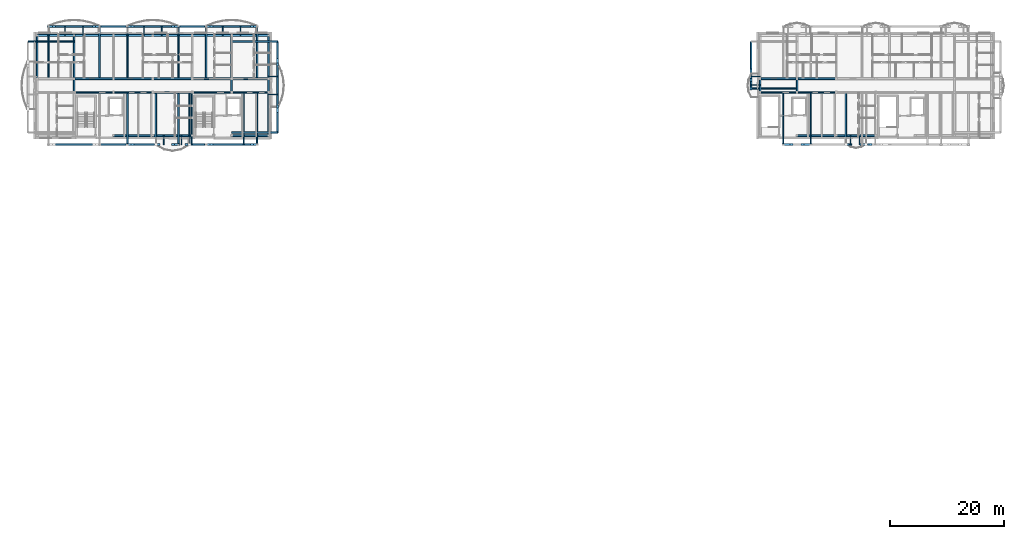
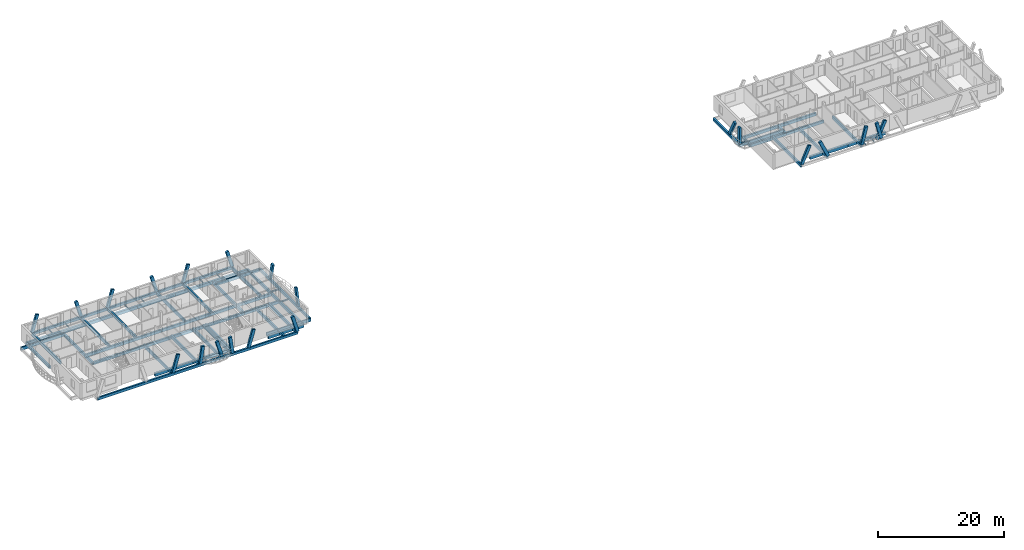
# One storey, part 4 of 29: 73 beams, 21 members.
"""IFC4 building model written with IfcOpenShell, lengths in metres."""

from ifc_helpers import new_model, si_unit, direction, frame, origin, origin_2d, place, context, subcontext, project, spatial, rectangle, i_section, extrude, material, material_profile, profile_set, type_object, element, save


model = new_model("IFC4")

# Units and contexts
model_context = context("Model", 3, precision=1e-05, world=origin(), true_north=direction((0.0, 1.0)))
body_context = subcontext(model_context, "Body", "Model", "MODEL_VIEW")
ifc_project = project(units=[si_unit("LENGTHUNIT", "METRE"), si_unit("AREAUNIT", "SQUARE_METRE"), si_unit("VOLUMEUNIT", "CUBIC_METRE"), si_unit("PLANEANGLEUNIT", "RADIAN"), si_unit("MASSUNIT", "GRAM", prefix="KILO")], contexts=[model_context])

# Site, building, storey
site_placement = place(None, origin())
site = spatial("IfcSite", under=ifc_project, at=site_placement, CompositionType="ELEMENT")
building_placement = place(site_placement, origin())
building = spatial("IfcBuilding", under=site, at=building_placement, Name="Zavelmont Quarter", CompositionType="ELEMENT")
storey_placement = place(building_placement, frame((0.0, 0.0, 33.60009765625)))
storey = spatial("IfcBuildingStorey", under=building, at=storey_placement, Name="L10", CompositionType="ELEMENT", Elevation=33.60009765625)

# Beams
ifc_material_1 = material(Name="Concrete C35/45", Category="concrete")
ifc_material_profile_1 = material_profile(ifc_material_1, rectangle(XDim=0.35009765625, YDim=0.60009765625, at=origin_2d()), Name="RC350X600")
ifc_profile_set_1 = profile_set([ifc_material_profile_1], Name="Concrete C35/45")
beam_type_1 = type_object("IfcBeamType", Name="BM01", PredefinedType="SPANDREL", material=ifc_profile_set_1)
beam_1_placement = place(storey_placement, frame((13.800048828125, 98.0400390625, -0.5400390625), z_axis=(1.0, 0.0, 0.0), x_axis=(0.0, 1.0, 0.0)))
element("IfcBeam", 1, at=beam_1_placement, inside=storey, type_object=beam_type_1, Name="L10 beam BM01 3/P to 4/P", PredefinedType="SPANDREL", context=body_context, shape_type="SweptSolid", body=[
    extrude(rectangle(XDim=0.35009765625, YDim=0.60009765625, at=origin_2d()), origin(), (0.0, 0.0, 1.0), 6.89990234375),
])
beam_2_placement = place(storey_placement, frame((20.699951171875, 98.0400390625, -0.5400390625), z_axis=(1.0, 0.0, 0.0), x_axis=(0.0, 1.0, 0.0)))
element("IfcBeam", 2, at=beam_2_placement, inside=storey, type_object=beam_type_1, Name="L10 beam BM01 4/P to 5/P", PredefinedType="SPANDREL", context=body_context, shape_type="SweptSolid", body=[
    extrude(rectangle(XDim=0.35009765625, YDim=0.60009765625, at=origin_2d()), origin(), (0.0, 0.0, 1.0), 6.900146484375),
])
for number, where, z_axis, x_axis, name in (
    (3, (34.5, 98.0400390625, -0.5400390625), (1.0, 0.0, 0.0), (0.0, 1.0, 0.0), "L10 beam BM01 6/P to 7/P"),
    (4, (0.43994140625, 115.56005859375, -0.5400390625), (1.0, 0.0, 0.0), (0.0, 1.0, 0.0), "L10 beam BM01 1/S to 2/S"),
):
    element("IfcBeam", number, at=place(storey_placement, frame(where, z_axis=z_axis, x_axis=x_axis)), inside=storey, type_object=beam_type_1, Name=name, PredefinedType="SPANDREL", context=body_context, shape_type="SweptSolid", body=[
        extrude(rectangle(XDim=0.35009765625, YDim=0.60009765625, at=origin_2d()), origin(), (0.0, 0.0, 1.0), 6.4599609375),
    ])
beam_3_placement = place(storey_placement, frame((6.89990234375, 115.56005859375, -0.5400390625), z_axis=(1.0, 0.0, 0.0), x_axis=(0.0, 1.0, 0.0)))
element("IfcBeam", 5, at=beam_3_placement, inside=storey, type_object=beam_type_1, Name="L10 beam BM01 2/S to 3/S", PredefinedType="SPANDREL", context=body_context, shape_type="SweptSolid", body=[
    extrude(rectangle(XDim=0.35009765625, YDim=0.60009765625, at=origin_2d()), origin(), (0.0, 0.0, 1.0), 6.900146484375),
])
beam_4_placement = place(storey_placement, frame((13.800048828125, 115.56005859375, -0.5400390625), z_axis=(1.0, 0.0, 0.0), x_axis=(0.0, 1.0, 0.0)))
element("IfcBeam", 6, at=beam_4_placement, inside=storey, type_object=beam_type_1, Name="L10 beam BM01 3/S to 4/S", PredefinedType="SPANDREL", context=body_context, shape_type="SweptSolid", body=[
    extrude(rectangle(XDim=0.35009765625, YDim=0.60009765625, at=origin_2d()), origin(), (0.0, 0.0, 1.0), 6.89990234375),
])
beam_5_placement = place(storey_placement, frame((20.699951171875, 115.56005859375, -0.5400390625), z_axis=(1.0, 0.0, 0.0), x_axis=(0.0, 1.0, 0.0)))
element("IfcBeam", 7, at=beam_5_placement, inside=storey, type_object=beam_type_1, Name="L10 beam BM01 4/S to 5/S", PredefinedType="SPANDREL", context=body_context, shape_type="SweptSolid", body=[
    extrude(rectangle(XDim=0.35009765625, YDim=0.60009765625, at=origin_2d()), origin(), (0.0, 0.0, 1.0), 6.900146484375),
])
beam_6_placement = place(storey_placement, frame((27.60009765625, 115.56005859375, -0.5400390625), z_axis=(1.0, 0.0, 0.0), x_axis=(0.0, 1.0, 0.0)))
element("IfcBeam", 8, at=beam_6_placement, inside=storey, type_object=beam_type_1, Name="L10 beam BM01 5/S to 6/S", PredefinedType="SPANDREL", context=body_context, shape_type="SweptSolid", body=[
    extrude(rectangle(XDim=0.35009765625, YDim=0.60009765625, at=origin_2d()), origin(), (0.0, 0.0, 1.0), 6.89990234375),
])
beam_7_placement = place(storey_placement, frame((34.5, 115.56005859375, -0.5400390625), z_axis=(1.0, 0.0, 0.0), x_axis=(0.0, 1.0, 0.0)))
element("IfcBeam", 9, at=beam_7_placement, inside=storey, type_object=beam_type_1, Name="L10 beam BM01 6/S to 7/S", PredefinedType="SPANDREL", context=body_context, shape_type="SweptSolid", body=[
    extrude(rectangle(XDim=0.35009765625, YDim=0.60009765625, at=origin_2d()), origin(), (0.0, 0.0, 1.0), 6.4599609375),
])
beam_8_placement = place(storey_placement, frame((133.5, 98.0400390625, -0.5400390625), z_axis=(1.0, 0.0, 0.0), x_axis=(0.0, 1.0, 0.0)))
element("IfcBeam", 10, at=beam_8_placement, inside=storey, type_object=beam_type_1, Name="L10 beam BM01 20/P to 21/P", PredefinedType="SPANDREL", context=body_context, shape_type="SweptSolid", body=[
    extrude(rectangle(XDim=0.35009765625, YDim=0.60009765625, at=origin_2d()), origin(), (0.0, 0.0, 1.0), 6.89990234375),
])
beam_9_placement = place(storey_placement, frame((140.39990234375, 98.0400390625, -0.5400390625), z_axis=(1.0, 0.0, 0.0), x_axis=(0.0, 1.0, 0.0)))
element("IfcBeam", 11, at=beam_9_placement, inside=storey, type_object=beam_type_1, Name="L10 beam BM01 21/P to 22/P", PredefinedType="SPANDREL", context=body_context, shape_type="SweptSolid", body=[
    extrude(rectangle(XDim=0.35009765625, YDim=0.60009765625, at=origin_2d()), origin(), (0.0, 0.0, 1.0), 6.900146484375),
])
ifc_material_profile_2 = material_profile(ifc_material_1, rectangle(XDim=0.300048828125, YDim=0.550048828125, at=origin_2d()), Name="RC300X550")
ifc_profile_set_2 = profile_set([ifc_material_profile_2], Name="Concrete C35/45")
beam_type_2 = type_object("IfcBeamType", Name="BM02", PredefinedType="SPANDREL", material=ifc_profile_set_2)
beam_10_placement = place(storey_placement, frame((6.89990234375, 105.60009765625, -0.51513671875), z_axis=(1.0, 0.0, 0.0), x_axis=(0.0, 1.0, 0.0)))
element("IfcBeam", 12, at=beam_10_placement, inside=storey, type_object=beam_type_2, Name="L10 beam BM02 2/Q to 3/Q", PredefinedType="SPANDREL", context=body_context, shape_type="SweptSolid", body=[
    extrude(rectangle(XDim=0.300048828125, YDim=0.550048828125, at=origin_2d()), origin(), (0.0, 0.0, 1.0), 6.900146484375),
])
beam_11_placement = place(storey_placement, frame((13.800048828125, 105.60009765625, -0.51513671875), z_axis=(1.0, 0.0, 0.0), x_axis=(0.0, 1.0, 0.0)))
element("IfcBeam", 13, at=beam_11_placement, inside=storey, type_object=beam_type_2, Name="L10 beam BM02 3/Q to 4/Q", PredefinedType="SPANDREL", context=body_context, shape_type="SweptSolid", body=[
    extrude(rectangle(XDim=0.300048828125, YDim=0.550048828125, at=origin_2d()), origin(), (0.0, 0.0, 1.0), 6.89990234375),
])
beam_12_placement = place(storey_placement, frame((20.699951171875, 105.60009765625, -0.51513671875), z_axis=(1.0, 0.0, 0.0), x_axis=(0.0, 1.0, 0.0)))
element("IfcBeam", 14, at=beam_12_placement, inside=storey, type_object=beam_type_2, Name="L10 beam BM02 4/Q to 5/Q", PredefinedType="SPANDREL", context=body_context, shape_type="SweptSolid", body=[
    extrude(rectangle(XDim=0.300048828125, YDim=0.550048828125, at=origin_2d()), origin(), (0.0, 0.0, 1.0), 6.900146484375),
])
beam_13_placement = place(storey_placement, frame((27.60009765625, 105.60009765625, -0.51513671875), z_axis=(1.0, 0.0, 0.0), x_axis=(0.0, 1.0, 0.0)))
element("IfcBeam", 15, at=beam_13_placement, inside=storey, type_object=beam_type_2, Name="L10 beam BM02 5/Q to 6/Q", PredefinedType="SPANDREL", context=body_context, shape_type="SweptSolid", body=[
    extrude(rectangle(XDim=0.300048828125, YDim=0.550048828125, at=origin_2d()), origin(), (0.0, 0.0, 1.0), 6.89990234375),
])
beam_14_placement = place(storey_placement, frame((34.5, 105.60009765625, -0.51513671875), z_axis=(1.0, 0.0, 0.0), x_axis=(0.0, 1.0, 0.0)))
element("IfcBeam", 16, at=beam_14_placement, inside=storey, type_object=beam_type_2, Name="L10 beam BM02 6/Q to 7/Q", PredefinedType="SPANDREL", context=body_context, shape_type="SweptSolid", body=[
    extrude(rectangle(XDim=0.300048828125, YDim=0.550048828125, at=origin_2d()), origin(), (0.0, 0.0, 1.0), 6.4599609375),
])
beam_15_placement = place(storey_placement, frame((6.89990234375, 108.0, -0.51513671875), z_axis=(1.0, 0.0, 0.0), x_axis=(0.0, 1.0, 0.0)))
element("IfcBeam", 17, at=beam_15_placement, inside=storey, type_object=beam_type_2, Name="L10 beam BM02 2/R to 3/R", PredefinedType="SPANDREL", context=body_context, shape_type="SweptSolid", body=[
    extrude(rectangle(XDim=0.300048828125, YDim=0.550048828125, at=origin_2d()), origin(), (0.0, 0.0, 1.0), 6.900146484375),
])
beam_16_placement = place(storey_placement, frame((13.800048828125, 108.0, -0.51513671875), z_axis=(1.0, 0.0, 0.0), x_axis=(0.0, 1.0, 0.0)))
element("IfcBeam", 18, at=beam_16_placement, inside=storey, type_object=beam_type_2, Name="L10 beam BM02 3/R to 4/R", PredefinedType="SPANDREL", context=body_context, shape_type="SweptSolid", body=[
    extrude(rectangle(XDim=0.300048828125, YDim=0.550048828125, at=origin_2d()), origin(), (0.0, 0.0, 1.0), 6.89990234375),
])
beam_17_placement = place(storey_placement, frame((20.699951171875, 108.0, -0.51513671875), z_axis=(1.0, 0.0, 0.0), x_axis=(0.0, 1.0, 0.0)))
element("IfcBeam", 19, at=beam_17_placement, inside=storey, type_object=beam_type_2, Name="L10 beam BM02 4/R to 5/R", PredefinedType="SPANDREL", context=body_context, shape_type="SweptSolid", body=[
    extrude(rectangle(XDim=0.300048828125, YDim=0.550048828125, at=origin_2d()), origin(), (0.0, 0.0, 1.0), 6.900146484375),
])
beam_18_placement = place(storey_placement, frame((27.60009765625, 108.0, -0.51513671875), z_axis=(1.0, 0.0, 0.0), x_axis=(0.0, 1.0, 0.0)))
element("IfcBeam", 20, at=beam_18_placement, inside=storey, type_object=beam_type_2, Name="L10 beam BM02 5/R to 6/R", PredefinedType="SPANDREL", context=body_context, shape_type="SweptSolid", body=[
    extrude(rectangle(XDim=0.300048828125, YDim=0.550048828125, at=origin_2d()), origin(), (0.0, 0.0, 1.0), 6.89990234375),
])
beam_19_placement = place(storey_placement, frame((34.5, 108.0, -0.51513671875), z_axis=(1.0, 0.0, 0.0), x_axis=(0.0, 1.0, 0.0)))
element("IfcBeam", 21, at=beam_19_placement, inside=storey, type_object=beam_type_2, Name="L10 beam BM02 6/R to 7/R", PredefinedType="SPANDREL", context=body_context, shape_type="SweptSolid", body=[
    extrude(rectangle(XDim=0.300048828125, YDim=0.550048828125, at=origin_2d()), origin(), (0.0, 0.0, 1.0), 6.4599609375),
])
beam_20_placement = place(storey_placement, frame((0.43994140625, 108.0, -0.51513671875), z_axis=(0.0, 1.0, 0.0), x_axis=(-1.0, 0.0, 0.0)))
element("IfcBeam", 22, at=beam_20_placement, inside=storey, type_object=beam_type_2, Name="L10 beam BM02 1/R to 1/S", PredefinedType="SPANDREL", context=body_context, shape_type="SweptSolid", body=[
    extrude(rectangle(XDim=0.300048828125, YDim=0.550048828125, at=origin_2d()), origin(), (0.0, 0.0, 1.0), 7.56005859375),
])
beam_21_placement = place(storey_placement, frame((6.89990234375, 105.60009765625, -0.51513671875), z_axis=(0.0, 1.0, 0.0), x_axis=(-1.0, 0.0, 0.0)))
element("IfcBeam", 23, at=beam_21_placement, inside=storey, type_object=beam_type_2, Name="L10 beam BM02 2/Q to 2/R", PredefinedType="SPANDREL", context=body_context, shape_type="SweptSolid", body=[
    extrude(rectangle(XDim=0.300048828125, YDim=0.550048828125, at=origin_2d()), origin(), (0.0, 0.0, 1.0), 2.39990234375),
])
beam_22_placement = place(storey_placement, frame((6.89990234375, 108.0, -0.51513671875), z_axis=(0.0, 1.0, 0.0), x_axis=(-1.0, 0.0, 0.0)))
element("IfcBeam", 24, at=beam_22_placement, inside=storey, type_object=beam_type_2, Name="L10 beam BM02 2/R to 2/S", PredefinedType="SPANDREL", context=body_context, shape_type="SweptSolid", body=[
    extrude(rectangle(XDim=0.300048828125, YDim=0.550048828125, at=origin_2d()), origin(), (0.0, 0.0, 1.0), 7.56005859375),
])
beam_23_placement = place(storey_placement, frame((34.5, 105.60009765625, -0.51513671875), z_axis=(0.0, 1.0, 0.0), x_axis=(-1.0, 0.0, 0.0)))
element("IfcBeam", 25, at=beam_23_placement, inside=storey, type_object=beam_type_2, Name="L10 beam BM02 6/Q to 6/R", PredefinedType="SPANDREL", context=body_context, shape_type="SweptSolid", body=[
    extrude(rectangle(XDim=0.300048828125, YDim=0.550048828125, at=origin_2d()), origin(), (0.0, 0.0, 1.0), 2.39990234375),
])
for number, where, z_axis, x_axis, name in (
    (26, (34.5, 108.0, -0.51513671875), (0.0, 1.0, 0.0), (-1.0, 0.0, 0.0), "L10 beam BM02 6/R to 6/S"),
    (27, (40.9599609375, 98.0400390625, -0.51513671875), (0.0, 1.0, 0.0), (-1.0, 0.0, 0.0), "L10 beam BM02 7/P to 7/Q"),
):
    element("IfcBeam", number, at=place(storey_placement, frame(where, z_axis=z_axis, x_axis=x_axis)), inside=storey, type_object=beam_type_2, Name=name, PredefinedType="SPANDREL", context=body_context, shape_type="SweptSolid", body=[
        extrude(rectangle(XDim=0.300048828125, YDim=0.550048828125, at=origin_2d()), origin(), (0.0, 0.0, 1.0), 7.56005859375),
    ])
beam_24_placement = place(storey_placement, frame((40.9599609375, 105.60009765625, -0.51513671875), z_axis=(0.0, 1.0, 0.0), x_axis=(-1.0, 0.0, 0.0)))
element("IfcBeam", 28, at=beam_24_placement, inside=storey, type_object=beam_type_2, Name="L10 beam BM02 7/Q to 7/R", PredefinedType="SPANDREL", context=body_context, shape_type="SweptSolid", body=[
    extrude(rectangle(XDim=0.300048828125, YDim=0.550048828125, at=origin_2d()), origin(), (0.0, 0.0, 1.0), 2.39990234375),
])
beam_25_placement = place(storey_placement, frame((40.9599609375, 108.0, -0.51513671875), z_axis=(0.0, 1.0, 0.0), x_axis=(-1.0, 0.0, 0.0)))
element("IfcBeam", 29, at=beam_25_placement, inside=storey, type_object=beam_type_2, Name="L10 beam BM02 7/R to 7/S", PredefinedType="SPANDREL", context=body_context, shape_type="SweptSolid", body=[
    extrude(rectangle(XDim=0.300048828125, YDim=0.550048828125, at=origin_2d()), origin(), (0.0, 0.0, 1.0), 7.56005859375),
])
beam_26_placement = place(storey_placement, frame((127.0400390625, 105.60009765625, -0.51513671875), z_axis=(1.0, 0.0, 0.0), x_axis=(0.0, 1.0, 0.0)))
element("IfcBeam", 30, at=beam_26_placement, inside=storey, type_object=beam_type_2, Name="L10 beam BM02 19/Q to 20/Q", PredefinedType="SPANDREL", context=body_context, shape_type="SweptSolid", body=[
    extrude(rectangle(XDim=0.300048828125, YDim=0.550048828125, at=origin_2d()), origin(), (0.0, 0.0, 1.0), 6.4599609375),
])
beam_27_placement = place(storey_placement, frame((133.5, 105.60009765625, -0.51513671875), z_axis=(1.0, 0.0, 0.0), x_axis=(0.0, 1.0, 0.0)))
element("IfcBeam", 31, at=beam_27_placement, inside=storey, type_object=beam_type_2, Name="L10 beam BM02 20/Q to 21/Q", PredefinedType="SPANDREL", context=body_context, shape_type="SweptSolid", body=[
    extrude(rectangle(XDim=0.300048828125, YDim=0.550048828125, at=origin_2d()), origin(), (0.0, 0.0, 1.0), 6.89990234375),
])
beam_28_placement = place(storey_placement, frame((127.0400390625, 108.0, -0.51513671875), z_axis=(1.0, 0.0, 0.0), x_axis=(0.0, 1.0, 0.0)))
element("IfcBeam", 32, at=beam_28_placement, inside=storey, type_object=beam_type_2, Name="L10 beam BM02 19/R to 20/R", PredefinedType="SPANDREL", context=body_context, shape_type="SweptSolid", body=[
    extrude(rectangle(XDim=0.300048828125, YDim=0.550048828125, at=origin_2d()), origin(), (0.0, 0.0, 1.0), 6.4599609375),
])
beam_29_placement = place(storey_placement, frame((133.5, 108.0, -0.51513671875), z_axis=(1.0, 0.0, 0.0), x_axis=(0.0, 1.0, 0.0)))
element("IfcBeam", 33, at=beam_29_placement, inside=storey, type_object=beam_type_2, Name="L10 beam BM02 20/R to 21/R", PredefinedType="SPANDREL", context=body_context, shape_type="SweptSolid", body=[
    extrude(rectangle(XDim=0.300048828125, YDim=0.550048828125, at=origin_2d()), origin(), (0.0, 0.0, 1.0), 6.89990234375),
])
for number, where, z_axis, x_axis, name in (
    (34, (127.0400390625, 105.60009765625, -0.51513671875), (0.0, 1.0, 0.0), (-1.0, 0.0, 0.0), "L10 beam BM02 19/Q to 19/R"),
    (35, (133.5, 105.60009765625, -0.51513671875), (0.0, 1.0, 0.0), (-1.0, 0.0, 0.0), "L10 beam BM02 20/Q to 20/R"),
):
    element("IfcBeam", number, at=place(storey_placement, frame(where, z_axis=z_axis, x_axis=x_axis)), inside=storey, type_object=beam_type_2, Name=name, PredefinedType="SPANDREL", context=body_context, shape_type="SweptSolid", body=[
        extrude(rectangle(XDim=0.300048828125, YDim=0.550048828125, at=origin_2d()), origin(), (0.0, 0.0, 1.0), 2.39990234375),
    ])
ifc_material_profile_3 = material_profile(ifc_material_1, rectangle(XDim=0.300048828125, YDim=0.5, at=origin_2d()), Name="RC300X500")
ifc_profile_set_3 = profile_set([ifc_material_profile_3], Name="Concrete C35/45")
beam_type_3 = type_object("IfcBeamType", Name="BM03", PredefinedType="BEAM", material=ifc_profile_set_3)
for number, where, z_axis, x_axis, name in (
    (36, (2.425048828125, 117.14990234375, -0.25), (1.0, 0.0, 0.0), (0.0, 1.0, 0.0), "L10 beam BM03 1/S to 7/S"),
    (37, (2.425048828125, 96.449951171875, -0.25), (1.0, 0.0, 0.0), (0.0, 1.0, 0.0), "L10 beam BM03 1/P to 7/P"),
):
    element("IfcBeam", number, at=place(storey_placement, frame(where, z_axis=z_axis, x_axis=x_axis)), inside=storey, type_object=beam_type_3, Name=name, PredefinedType="BEAM", context=body_context, shape_type="SweptSolid", body=[
        extrude(rectangle(XDim=0.300048828125, YDim=0.5, at=origin_2d()), origin(), (0.0, 0.0, 1.0), 36.549072265625),
    ])
beam_30_placement = place(storey_placement, frame((42.550048828125, 98.550048828125, -0.25), z_axis=(0.0, 1.0, 0.0), x_axis=(-1.0, 0.0, 0.0)))
element("IfcBeam", 38, at=beam_30_placement, inside=storey, type_object=beam_type_3, Name="L10 beam BM03 7/P to 7/S", PredefinedType="BEAM", context=body_context, shape_type="SweptSolid", body=[
    extrude(rectangle(XDim=0.300048828125, YDim=0.5, at=origin_2d()), origin(), (0.0, 0.0, 1.0), 15.949951171875),
])
beam_31_placement = place(storey_placement, frame((125.449951171875, 106.25, -0.25), z_axis=(0.0, 1.0, 0.0), x_axis=(-1.0, 0.0, 0.0)))
element("IfcBeam", 39, at=beam_31_placement, inside=storey, type_object=beam_type_3, Name="L10 beam BM03 19/Q to 19/S", PredefinedType="BEAM", context=body_context, shape_type="SweptSolid", body=[
    extrude(rectangle(XDim=0.300048828125, YDim=0.5, at=origin_2d()), origin(), (0.0, 0.0, 1.0), 8.25),
])
ifc_material_2 = material(Name="Steel S355", Category="steel")
ifc_material_profile_4 = material_profile(ifc_material_2, i_section(OverallWidth=0.110107421875, OverallDepth=0.219970703125, WebThickness=0.005859375, FlangeThickness=0.00927734375, at=origin_2d()), Name="IPE 220")
ifc_profile_set_4 = profile_set([ifc_material_profile_4], Name="Steel S355")
beam_type_4 = type_object("IfcBeamType", Name="BM15", PredefinedType="JOIST", material=ifc_profile_set_4)
for number, where, z_axis, x_axis, name in (
    (40, (5.35009765625, 115.56005859375, -0.35205078125), (0.0, 1.0, 0.0), (-1.0, 0.0, 0.0), "L10 beam BM15 2/S to 2/S"),
    (41, (8.449951171875, 115.56005859375, -0.35205078125), (0.0, 1.0, 0.0), (-1.0, 0.0, 0.0), "L10 beam BM15 2/S to 2/S"),
    (42, (19.14990234375, 115.56005859375, -0.3671875), (0.0, 1.0, 0.0), (-1.0, 0.0, 0.0), "L10 beam BM15 4/S to 4/S"),
    (43, (22.25, 115.56005859375, -0.3671875), (0.0, 1.0, 0.0), (-1.0, 0.0, 0.0), "L10 beam BM15 4/S to 4/S"),
    (44, (32.949951171875, 115.56005859375, -0.357177734375), (0.0, 1.0, 0.0), (-1.0, 0.0, 0.0), "L10 beam BM15 6/S to 6/S"),
    (45, (36.050048828125, 115.56005859375, -0.357177734375), (0.0, 1.0, 0.0), (-1.0, 0.0, 0.0), "L10 beam BM15 6/S to 6/S"),
):
    element("IfcBeam", number, at=place(storey_placement, frame(where, z_axis=z_axis, x_axis=x_axis)), inside=storey, type_object=beam_type_4, Name=name, PredefinedType="JOIST", context=body_context, shape_type="SweptSolid", body=[
        extrude(i_section(OverallWidth=0.110107421875, OverallDepth=0.219970703125, WebThickness=0.005859375, FlangeThickness=0.00927734375, at=origin_2d()), origin(), (0.0, 0.0, 1.0), 1.58984375),
    ])
for number, where, z_axis, x_axis, name in (
    (46, (40.9599609375, 105.25, -0.357177734375), (1.0, 0.0, 0.0), (0.0, 1.0, 0.0), "L10 beam BM15 7/Q to 7/Q"),
    (47, (40.9599609375, 108.35009765625, -0.357177734375), (1.0, 0.0, 0.0), (0.0, 1.0, 0.0), "L10 beam BM15 7/R to 7/R"),
    (48, (22.60009765625, 98.0400390625, -0.35205078125), (0.0, -1.0, 0.0), (1.0, 0.0, 0.0), "L10 beam BM15 4/P to 4/P"),
    (49, (25.699951171875, 98.0400390625, -0.35205078125), (0.0, -1.0, 0.0), (1.0, 0.0, 0.0), "L10 beam BM15 5/P to 5/P"),
    (50, (127.0400390625, 106.89990234375, -0.357177734375), (-1.0, 0.0, 0.0), (0.0, -1.0, 0.0), "L10 beam BM15 19/R to 19/R"),
    (51, (127.0400390625, 108.35009765625, -0.357177734375), (-1.0, 0.0, 0.0), (0.0, -1.0, 0.0), "L10 beam BM15 19/R to 19/R"),
    (52, (142.843505859375, 98.0400390625, -0.35205078125), (0.0, -1.0, 0.0), (1.0, 0.0, 0.0), "L10 beam BM15 21/P to 21/P"),
    (53, (144.436279296875, 98.0400390625, -0.35205078125), (0.0, -1.0, 0.0), (1.0, 0.0, 0.0), "L10 beam BM15 22/P to 22/P"),
):
    element("IfcBeam", number, at=place(storey_placement, frame(where, z_axis=z_axis, x_axis=x_axis)), inside=storey, type_object=beam_type_4, Name=name, PredefinedType="JOIST", context=body_context, shape_type="SweptSolid", body=[
        extrude(i_section(OverallWidth=0.110107421875, OverallDepth=0.219970703125, WebThickness=0.005859375, FlangeThickness=0.00927734375, at=origin_2d()), origin(), (0.0, 0.0, 1.0), 1.590087890625),
    ])
ifc_material_3 = material(Name="Concrete C40/50", Category="concrete")
ifc_material_profile_5 = material_profile(ifc_material_3, rectangle(XDim=0.25, YDim=0.60009765625, at=origin_2d()), Name="RC250X600")
ifc_profile_set_5 = profile_set([ifc_material_profile_5], Name="Concrete C40/50")
beam_type_5 = type_object("IfcBeamType", Name="BM18", PredefinedType="BEAM", material=ifc_profile_set_5)
for number, where, z_axis, x_axis, name in (
    (54, (2.425537109375, 108.0, -0.300048828125), (0.0, 1.0, 0.0), (-1.0, 0.0, 0.0), "L10 beam BM18 1/R to 1/S"),
    (55, (11.37451171875, 108.0, -0.300048828125), (0.0, 1.0, 0.0), (-1.0, 0.0, 0.0), "L10 beam BM18 3/R to 3/S"),
    (56, (16.2255859375, 108.0, -0.300048828125), (0.0, 1.0, 0.0), (-1.0, 0.0, 0.0), "L10 beam BM18 3/R to 3/S"),
    (57, (25.174560546875, 108.0, -0.300048828125), (0.0, 1.0, 0.0), (-1.0, 0.0, 0.0), "L10 beam BM18 5/R to 5/S"),
    (58, (30.025390625, 108.0, -0.300048828125), (0.0, 1.0, 0.0), (-1.0, 0.0, 0.0), "L10 beam BM18 5/R to 5/S"),
    (59, (38.974609375, 108.0, -0.300048828125), (0.0, 1.0, 0.0), (-1.0, 0.0, 0.0), "L10 beam BM18 7/R to 7/S"),
):
    element("IfcBeam", number, at=place(storey_placement, frame(where, z_axis=z_axis, x_axis=x_axis)), inside=storey, type_object=beam_type_5, Name=name, PredefinedType="BEAM", context=body_context, shape_type="SweptSolid", body=[
        extrude(rectangle(XDim=0.25, YDim=0.60009765625, at=origin_2d()), origin(), (0.0, 0.0, 1.0), 9.14990234375),
    ])
for number, where, z_axis, x_axis, name in (
    (60, (16.2255859375, 105.60009765625, -0.300048828125), (0.0, -1.0, 0.0), (1.0, 0.0, 0.0), "L10 beam BM18 3/Q to 3/P"),
    (61, (25.174560546875, 105.60009765625, -0.300048828125), (0.0, -1.0, 0.0), (1.0, 0.0, 0.0), "L10 beam BM18 5/Q to 5/P"),
    (62, (27.5, 105.60009765625, -0.300048828125), (0.0, -1.0, 0.0), (1.0, 0.0, 0.0), "L10 beam BM18 5/Q to 5/P"),
    (63, (36.625, 105.60009765625, -0.300048828125), (0.0, -1.0, 0.0), (1.0, 0.0, 0.0), "L10 beam BM18 6/Q to 6/P"),
    (64, (38.974609375, 105.60009765625, -0.300048828125), (0.0, -1.0, 0.0), (1.0, 0.0, 0.0), "L10 beam BM18 7/Q to 7/P"),
    (65, (21.219482421875, 105.60009765625, -0.300048828125), (0.0, -1.0, 0.0), (1.0, 0.0, 0.0), "L10 beam BM18 4/Q to 4/P"),
    (66, (27.080322265625, 105.60009765625, -0.300048828125), (0.0, -1.0, 0.0), (1.0, 0.0, 0.0), "L10 beam BM18 5/Q to 5/P"),
):
    element("IfcBeam", number, at=place(storey_placement, frame(where, z_axis=z_axis, x_axis=x_axis)), inside=storey, type_object=beam_type_5, Name=name, PredefinedType="BEAM", context=body_context, shape_type="SweptSolid", body=[
        extrude(rectangle(XDim=0.25, YDim=0.60009765625, at=origin_2d()), origin(), (0.0, 0.0, 1.0), 9.150146484375),
    ])
beam_32_placement = place(storey_placement, frame((6.89990234375, 114.5, -0.300048828125), z_axis=(-1.0, 0.0, 0.0), x_axis=(0.0, -1.0, 0.0)))
element("IfcBeam", 67, at=beam_32_placement, inside=storey, type_object=beam_type_5, Name="L10 beam BM18 2/S to 1/S", PredefinedType="BEAM", context=body_context, shape_type="SweptSolid", body=[
    extrude(rectangle(XDim=0.25, YDim=0.60009765625, at=origin_2d()), origin(), (0.0, 0.0, 1.0), 8.0498046875),
])
for number, where, z_axis, x_axis, name in (
    (68, (34.5, 98.550048828125, -0.300048828125), (1.0, 0.0, 0.0), (0.0, 1.0, 0.0), "L10 beam BM18 6/P to 7/P"),
    (69, (34.5, 114.5, -0.300048828125), (1.0, 0.0, 0.0), (0.0, 1.0, 0.0), "L10 beam BM18 6/S to 7/S"),
):
    element("IfcBeam", number, at=place(storey_placement, frame(where, z_axis=z_axis, x_axis=x_axis)), inside=storey, type_object=beam_type_5, Name=name, PredefinedType="BEAM", context=body_context, shape_type="SweptSolid", body=[
        extrude(rectangle(XDim=0.25, YDim=0.60009765625, at=origin_2d()), origin(), (0.0, 0.0, 1.0), 8.050048828125),
    ])
for number, where, z_axis, x_axis, name in (
    (70, (131.09130859375, 105.60009765625, -0.300048828125), (0.0, -1.0, 0.0), (1.0, 0.0, 0.0), "L10 beam BM18 20/Q to 20/P"),
    (71, (135.90869140625, 105.60009765625, -0.300048828125), (0.0, -1.0, 0.0), (1.0, 0.0, 0.0), "L10 beam BM18 20/Q to 20/P"),
    (72, (142.073486328125, 105.60009765625, -0.300048828125), (0.0, -1.0, 0.0), (1.0, 0.0, 0.0), "L10 beam BM18 21/Q to 21/P"),
):
    element("IfcBeam", number, at=place(storey_placement, frame(where, z_axis=z_axis, x_axis=x_axis)), inside=storey, type_object=beam_type_5, Name=name, PredefinedType="BEAM", context=body_context, shape_type="SweptSolid", body=[
        extrude(rectangle(XDim=0.25, YDim=0.60009765625, at=origin_2d()), origin(), (0.0, 0.0, 1.0), 9.150146484375),
    ])
beam_33_placement = place(storey_placement, frame((133.5, 106.25, -0.300048828125), z_axis=(-1.0, 0.0, 0.0), x_axis=(0.0, -1.0, 0.0)))
element("IfcBeam", 73, at=beam_33_placement, inside=storey, type_object=beam_type_5, Name="L10 beam BM18 20/Q to 19/Q", PredefinedType="BEAM", context=body_context, shape_type="SweptSolid", body=[
    extrude(rectangle(XDim=0.25, YDim=0.60009765625, at=origin_2d()), origin(), (0.0, 0.0, 1.0), 8.050048828125),
])

# Members
ifc_material_4 = material(Name="White architectural precast concrete C40/50", Category="concrete")
ifc_material_profile_6 = material_profile(ifc_material_4, rectangle(XDim=0.360107421875, YDim=0.5400390625, at=origin_2d()), Name="PCR280X420")
ifc_profile_set_6 = profile_set([ifc_material_profile_6], Name="White architectural precast concrete C40/50")
member_type = type_object("IfcMemberType", Name="VR02M", PredefinedType="CHORD", material=ifc_profile_set_6)
for number, where, z_axis, x_axis, name in (
    (74, (2.425537109375, 117.14990234375, 0.0), (0.281559849531, 0.0, 0.959543668174), (0.0, 1.0, 0.0), "L10 member VR02M 1/S to 1/S"),
    (75, (11.37451171875, 117.14990234375, 0.0), (-0.281559849531, 0.0, 0.959543668174), (0.0, -1.0, 0.0), "L10 member VR02M 3/S to 3/S"),
    (76, (16.2255859375, 117.14990234375, 0.0), (0.281559849531, 0.0, 0.959543668174), (0.0, 1.0, 0.0), "L10 member VR02M 3/S to 3/S"),
    (77, (25.174560546875, 117.14990234375, 0.0), (-0.281559849531, 0.0, 0.959543668174), (0.0, -1.0, 0.0), "L10 member VR02M 5/S to 5/S"),
    (78, (30.025390625, 117.14990234375, 0.0), (0.281627252263, 0.0, 0.959523887552), (0.0, 1.0, 0.0), "L10 member VR02M 5/S to 5/S"),
    (79, (38.974609375, 117.14990234375, 0.0), (-0.281627252263, 0.0, 0.959523887552), (0.0, -1.0, 0.0), "L10 member VR02M 7/S to 7/S"),
    (80, (16.2255859375, 96.449951171875, 0.0), (0.281559849531, 0.0, 0.959543668174), (0.0, 1.0, 0.0), "L10 member VR02M 3/P to 3/P"),
    (81, (25.174560546875, 96.449951171875, 0.0), (-0.281559849531, 0.0, 0.959543668174), (0.0, -1.0, 0.0), "L10 member VR02M 5/P to 5/P"),
    (82, (30.025390625, 96.449951171875, 0.0), (0.281627252263, 0.0, 0.959523887552), (0.0, 1.0, 0.0), "L10 member VR02M 5/P to 5/P"),
    (83, (38.974609375, 96.449951171875, 0.0), (-0.281627252263, 0.0, 0.959523887552), (0.0, -1.0, 0.0), "L10 member VR02M 7/P to 7/P"),
):
    element("IfcMember", number, at=place(storey_placement, frame(where, z_axis=z_axis, x_axis=x_axis)), inside=storey, type_object=member_type, Name=name, PredefinedType="CHORD", context=body_context, shape_type="SweptSolid", body=[
        extrude(rectangle(XDim=0.360107421875, YDim=0.5400390625, at=origin_2d()), origin(), (0.0, 0.0, 1.0), 3.3349609375),
    ])
for number, where, z_axis, x_axis, name in (
    (84, (21.219482421875, 96.449951171875, 0.0), (0.139686577857, 0.0, 0.990195768506), (0.0, 1.0, 0.0), "L10 member VR02M 4/P to 4/P"),
    (85, (27.080322265625, 96.449951171875, 0.0), (-0.139686577857, 0.0, 0.990195768506), (0.0, -1.0, 0.0), "L10 member VR02M 5/P to 5/P"),
):
    element("IfcMember", number, at=place(storey_placement, frame(where, z_axis=z_axis, x_axis=x_axis)), inside=storey, type_object=member_type, Name=name, PredefinedType="CHORD", context=body_context, shape_type="SweptSolid", body=[
        extrude(rectangle(XDim=0.360107421875, YDim=0.5400390625, at=origin_2d()), origin(), (0.0, 0.0, 1.0), 3.231689453125),
    ])
for number, where, z_axis, x_axis, name in (
    (86, (42.550048828125, 102.35986328125, 0.0), (0.0, 0.236338337307, 0.971670824055), (-1.0, 0.0, 0.0), "L10 member VR02M 7/Q to 7/Q"),
    (87, (42.550048828125, 111.239990234375, 0.0), (0.0, -0.236268342536, 0.971687846129), (1.0, 0.0, 0.0), "L10 member VR02M 7/R to 7/R"),
):
    element("IfcMember", number, at=place(storey_placement, frame(where, z_axis=z_axis, x_axis=x_axis)), inside=storey, type_object=member_type, Name=name, PredefinedType="CHORD", context=body_context, shape_type="SweptSolid", body=[
        extrude(rectangle(XDim=0.360107421875, YDim=0.5400390625, at=origin_2d()), origin(), (0.0, 0.0, 1.0), 3.293212890625),
    ])
for number, where, z_axis, x_axis, name in (
    (88, (131.09130859375, 96.449951171875, 0.0), (0.4147964785, 0.0, 0.909914216519), (0.0, 1.0, 0.0), "L10 member VR02M 20/P to 20/P"),
    (89, (135.90869140625, 96.449951171875, 0.0), (-0.4147964785, 0.0, 0.909914216519), (0.0, -1.0, 0.0), "L10 member VR02M 20/P to 20/P"),
    (90, (144.89111328125, 96.449951171875, 0.0), (0.414853953542, 0.0, 0.909888013566), (0.0, 1.0, 0.0), "L10 member VR02M 22/P to 22/P"),
):
    element("IfcMember", number, at=place(storey_placement, frame(where, z_axis=z_axis, x_axis=x_axis)), inside=storey, type_object=member_type, Name=name, PredefinedType="CHORD", context=body_context, shape_type="SweptSolid", body=[
        extrude(rectangle(XDim=0.360107421875, YDim=0.5400390625, at=origin_2d()), origin(), (0.0, 0.0, 1.0), 3.516845703125),
    ])
for number, where, z_axis, x_axis, name in (
    (91, (142.073486328125, 96.449951171875, 0.0), (0.25005451334, 0.0, 0.968231759631), (0.0, 1.0, 0.0), "L10 member VR02M 21/P to 21/P"),
    (92, (145.62646484375, 96.449951171875, 0.0), (-0.25005451334, 0.0, 0.968231759631), (0.0, -1.0, 0.0), "L10 member VR02M 22/P to 22/P"),
):
    element("IfcMember", number, at=place(storey_placement, frame(where, z_axis=z_axis, x_axis=x_axis)), inside=storey, type_object=member_type, Name=name, PredefinedType="CHORD", context=body_context, shape_type="SweptSolid", body=[
        extrude(rectangle(XDim=0.360107421875, YDim=0.5400390625, at=origin_2d()), origin(), (0.0, 0.0, 1.0), 3.304931640625),
    ])
member_1_placement = place(storey_placement, frame((125.449951171875, 106.300048828125, 0.0), z_axis=(0.0, 0.0, 1.0), x_axis=(1.0, 0.0, 0.0)))
element("IfcMember", 93, at=member_1_placement, inside=storey, type_object=member_type, Name="L10 member VR02M 19/Q to 19/Q", PredefinedType="CHORD", context=body_context, shape_type="SweptSolid", body=[
    extrude(rectangle(XDim=0.360107421875, YDim=0.5400390625, at=origin_2d()), origin(), (0.0, 0.0, 1.0), 3.199951171875),
])
member_2_placement = place(storey_placement, frame((125.449951171875, 109.43701171875, 0.0), z_axis=(0.0, -0.466358272955, 0.884595931059), x_axis=(1.0, 0.0, 0.0)))
element("IfcMember", 94, at=member_2_placement, inside=storey, type_object=member_type, Name="L10 member VR02M 19/R to 19/R", PredefinedType="CHORD", context=body_context, shape_type="SweptSolid", body=[
    extrude(rectangle(XDim=0.360107421875, YDim=0.5400390625, at=origin_2d()), origin(), (0.0, 0.0, 1.0), 3.617431640625),
])

save(model, "model.ifc")
